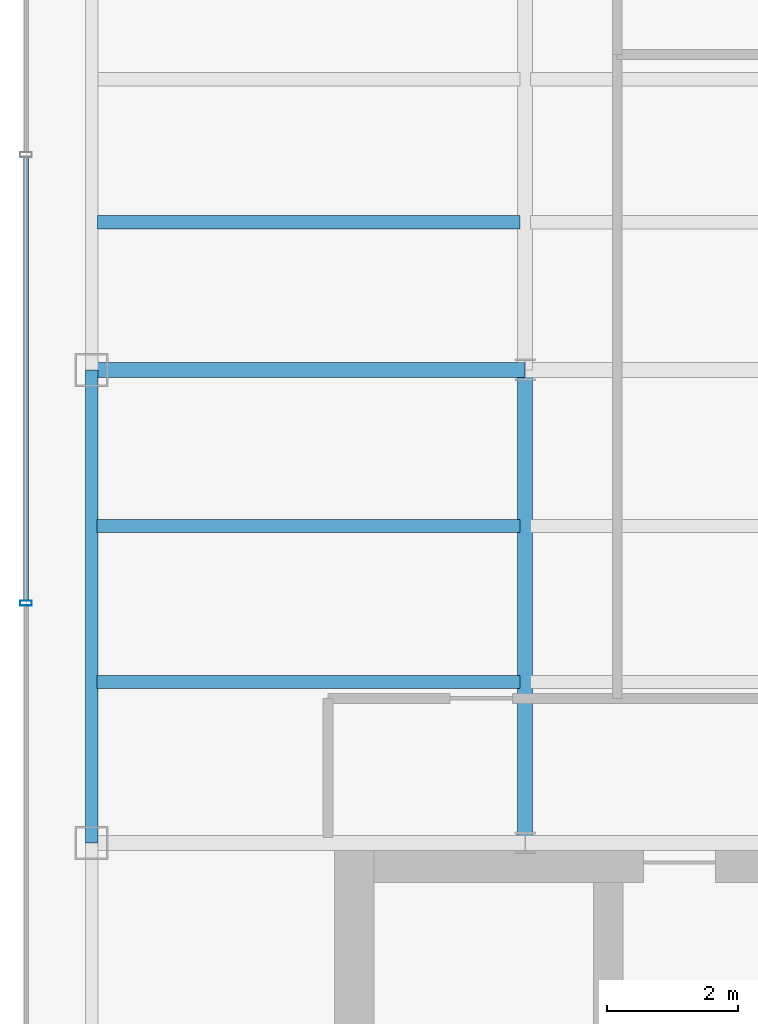
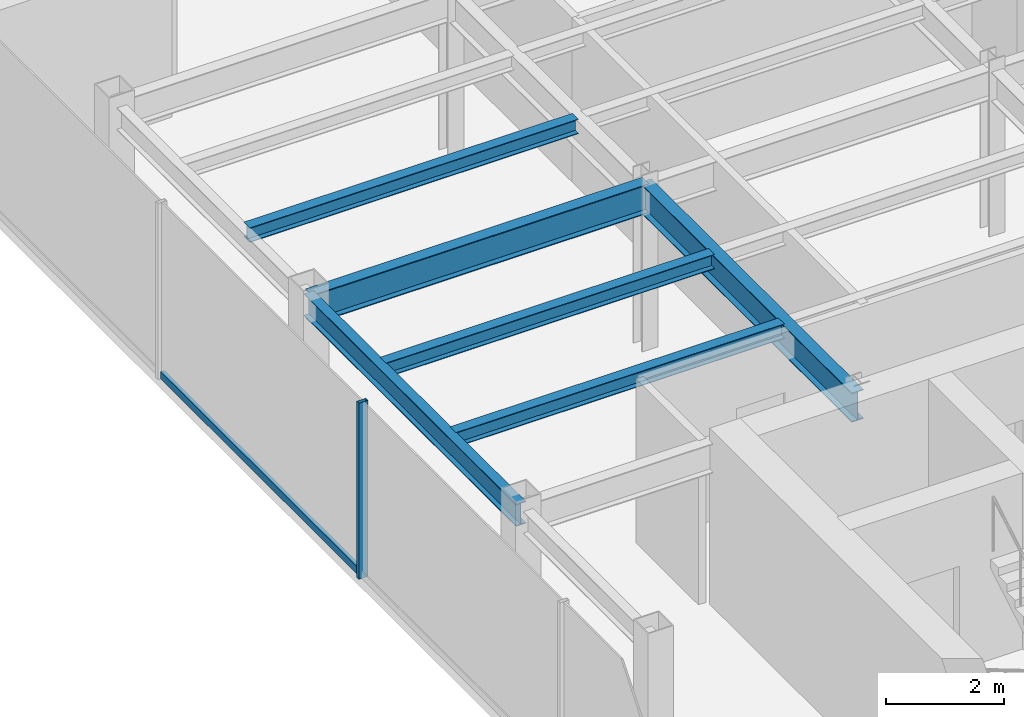
# One storey, part 5 of 22: 6 beams, 2 members, 1 element without a shape of its own.
"""IFC4 building model written with IfcOpenShell, lengths in metres."""

from ifc_helpers import new_model, si_unit, derived_unit, direction, frame, origin, origin_2d, place, context, subcontext, project, spatial, hollow_rectangle, i_section, extrude, source, transform, mapped, material, material_profile, profile_set, type_object, element, aggregate, save


model = new_model("IFC4")

# Units and contexts
model_context = context("Model", 3, precision=1e-05, world=origin(), true_north=direction((0.0, 1.0)))
body_context = subcontext(model_context, "Body", "Model", "MODEL_VIEW")
ifc_project = project(units=[si_unit("LENGTHUNIT", "METRE"), si_unit("AREAUNIT", "SQUARE_METRE"), si_unit("VOLUMEUNIT", "CUBIC_METRE"), si_unit("PLANEANGLEUNIT", "RADIAN"), si_unit("MASSUNIT", "GRAM", prefix="KILO"), derived_unit("THERMALTRANSMITTANCEUNIT", [(si_unit("POWERUNIT", "WATT"), 1), (si_unit("LENGTHUNIT", "METRE"), -2), (si_unit("THERMODYNAMICTEMPERATUREUNIT", "KELVIN"), -1)])], contexts=[model_context])

# Site, building, storey
site_placement = place(None, origin())
site = spatial("IfcSite", under=ifc_project, at=site_placement, CompositionType="ELEMENT")
building_placement = place(site_placement, origin())
building = spatial("IfcBuilding", under=site, at=building_placement, Name="Skarnbrae Concourse Arena and Tower", CompositionType="ELEMENT")
storey_placement = place(building_placement, frame((0.0, 0.0, 258.800048828125)))
storey = spatial("IfcBuildingStorey", under=building, at=storey_placement, Name="L67", CompositionType="ELEMENT", Elevation=258.800048828125)

# Beams
ifc_material_1 = material(Name="Steel CSA G40.21 350W", Category="steel")
ifc_material_profile_1 = material_profile(ifc_material_1, i_section(OverallWidth=0.22802734375, OverallDepth=0.60791015625, WebThickness=0.01123046875, FlangeThickness=0.017333984375, at=origin_2d()), Name="W610X113")
ifc_profile_set_1 = profile_set([ifc_material_profile_1], Name="Steel CSA G40.21 350W")
beam_type_1 = type_object("IfcBeamType", Name="BM-GIRD-W610X113", PredefinedType="BEAM", material=ifc_profile_set_1)
shared_shape_1 = source(origin(), body_context, "Body", "SweptSolid", [
    extrude(i_section(OverallWidth=0.22802734375, OverallDepth=0.60791015625, WebThickness=0.01123046875, FlangeThickness=0.017333984375, at=origin_2d()), origin(), (0.0, 0.0, 1.0), 6.60009765625),
])
beam_1_placement = place(storey_placement, frame((1.0, 21.199951171875, 3.095947265625), z_axis=(1.0, 0.0, 0.0), x_axis=(0.0, 1.0, 0.0)))
element("IfcBeam", 1, at=beam_1_placement, inside=storey, type_object=beam_type_1, Name="L67 Primary E-W girder Y21.2-1", PredefinedType="BEAM", context=body_context, shape_type="MappedRepresentation", body=[
    mapped(shared_shape_1, transform((0.0, 0.0, 0.0))),
])
ifc_material_profile_2 = material_profile(ifc_material_1, i_section(OverallWidth=0.19091796875, OverallDepth=0.4599609375, WebThickness=0.010009765625, FlangeThickness=0.01611328125, at=origin_2d()), Name="W460X82")
ifc_profile_set_2 = profile_set([ifc_material_profile_2], Name="Steel CSA G40.21 350W")
beam_type_2 = type_object("IfcBeamType", Name="BM-SPAN-W460X82", PredefinedType="SPANDREL", material=ifc_profile_set_2)
shared_shape_2 = source(origin(), body_context, "Body", "SweptSolid", [
    extrude(i_section(OverallWidth=0.19091796875, OverallDepth=0.4599609375, WebThickness=0.010009765625, FlangeThickness=0.01611328125, at=origin_2d()), origin(), (0.0, 0.0, 1.0), 7.199951171875),
])
beam_2_placement = place(storey_placement, frame((1.0, 14.0, 3.169921875), z_axis=(0.0, 1.0, 0.0), x_axis=(-1.0, 0.0, 0.0)))
element("IfcBeam", 2, at=beam_2_placement, inside=storey, type_object=beam_type_2, Name="L67 Perimeter spandrel X1.0-2", PredefinedType="SPANDREL", context=body_context, shape_type="MappedRepresentation", body=[
    mapped(shared_shape_2, transform((0.0, 0.0, 0.0))),
])
shared_shape_3 = source(origin(), body_context, "Body", "SweptSolid", [
    extrude(i_section(OverallWidth=0.22802734375, OverallDepth=0.60791015625, WebThickness=0.01123046875, FlangeThickness=0.017333984375, at=origin_2d()), origin(), (0.0, 0.0, 1.0), 7.199951171875),
])
beam_3_placement = place(storey_placement, frame((7.60009765625, 14.0, 3.095947265625), z_axis=(0.0, 1.0, 0.0), x_axis=(-1.0, 0.0, 0.0)))
element("IfcBeam", 3, at=beam_3_placement, inside=storey, type_object=beam_type_1, Name="L67 Primary N-S girder X7.6-1", PredefinedType="BEAM", context=body_context, shape_type="MappedRepresentation", body=[
    mapped(shared_shape_3, transform((0.0, 0.0, 0.0))),
])
ifc_material_profile_3 = material_profile(ifc_material_1, i_section(OverallWidth=0.202880859375, OverallDepth=0.302978515625, WebThickness=0.007568359375, FlangeThickness=0.01318359375, at=origin_2d()), Name="W310X60")
ifc_profile_set_3 = profile_set([ifc_material_profile_3], Name="Steel CSA G40.21 350W")
beam_type_3 = type_object("IfcBeamType", Name="BM-JOIST-W310X60", PredefinedType="JOIST", material=ifc_profile_set_3)
shared_shape_4 = source(origin(), body_context, "Body", "SweptSolid", [
    extrude(i_section(OverallWidth=0.202880859375, OverallDepth=0.302978515625, WebThickness=0.007568359375, FlangeThickness=0.01318359375, at=origin_2d()), origin(), (0.0, 0.0, 1.0), 6.43994140625),
])
for number, where, z_axis, x_axis, name in (
    (4, (1.080078125, 16.447998046875, 3.24853515625), (1.0, 0.0, 0.0), (0.0, 1.0, 0.0), "L67 Secondary floor joist 1.1.1"),
    (5, (1.080078125, 18.823974609375, 3.24853515625), (1.0, 0.0, 0.0), (0.0, 1.0, 0.0), "L67 Secondary floor joist 1.2.1"),
    (6, (1.080078125, 23.444091796875, 3.24853515625), (1.0, 0.0, 0.0), (0.0, 1.0, 0.0), "L67 Secondary floor joist 2.1.1"),
):
    element("IfcBeam", number, at=place(storey_placement, frame(where, z_axis=z_axis, x_axis=x_axis)), inside=storey, type_object=beam_type_3, Name=name, PredefinedType="JOIST", context=body_context, shape_type="MappedRepresentation", body=[
        mapped(shared_shape_4, transform((0.0, 0.0, 0.0))),
    ])

# Curtain wall, members
ifc_material_2 = material(Name="Bronze anodised aluminium 6063-T6", Category="aluminium")
curtain_wall_type = type_object("IfcCurtainWallType", Name="CW-SYS-05-HIGHZONE", PredefinedType="USERDEFINED", material=ifc_material_2)
curtain_wall_placement = place(storey_placement, origin())
curtain_wall = element("IfcCurtainWall", 7, at=curtain_wall_placement, inside=storey, type_object=curtain_wall_type, Name="L67 Unitised curtain wall CW-L67-E18", ObjectType="UNITISED CURTAIN WALL", PredefinedType="USERDEFINED")
ifc_material_profile_4 = material_profile(ifc_material_2, hollow_rectangle(XDim=0.074951171875, YDim=0.179931640625, WallThickness=0.00390625, at=origin_2d()), Name="ALU-MULL-75X180")
ifc_profile_set_4 = profile_set([ifc_material_profile_4], Name="Bronze anodised aluminium 6063-T6")
member_type_1 = type_object("IfcMemberType", Name="CWM-CW-05", PredefinedType="MULLION", material=ifc_profile_set_4)
shared_shape_5 = source(origin(), body_context, "Body", "SweptSolid", [
    extrude(hollow_rectangle(XDim=0.074951171875, YDim=0.179931640625, WallThickness=0.00390625, at=origin_2d()), origin(), (0.0, 0.0, 1.0), 3.64990234375),
])
member_1_placement = place(storey_placement, frame((0.0, 17.64990234375, 0.0), z_axis=(0.0, 0.0, 1.0), x_axis=(0.0, -1.0, 0.0)))
member_1 = element("IfcMember", 8, at=member_1_placement, type_object=member_type_1, Name="CW-L67-E18 Mullion 3", PredefinedType="MULLION", context=body_context, shape_type="MappedRepresentation", body=[
    mapped(shared_shape_5, transform((0.0, 0.0, 0.0))),
])
ifc_material_profile_5 = material_profile(ifc_material_2, hollow_rectangle(XDim=0.074951171875, YDim=0.14990234375, WallThickness=0.00390625, at=origin_2d()), Name="ALU-TRAN-75X150")
ifc_profile_set_5 = profile_set([ifc_material_profile_5], Name="Bronze anodised aluminium 6063-T6")
member_type_2 = type_object("IfcMemberType", Name="CWT-CW-05", PredefinedType="USERDEFINED", material=ifc_profile_set_5)
shared_shape_6 = source(origin(), body_context, "Body", "SweptSolid", [
    extrude(hollow_rectangle(XDim=0.074951171875, YDim=0.14990234375, WallThickness=0.00390625, at=origin_2d()), origin(), (0.0, 0.0, 1.0), 6.75),
])
member_2_placement = place(storey_placement, frame((0.0, 24.4375, 0.074951171875), z_axis=(0.0, -1.0, 0.0), x_axis=(1.0, 0.0, 0.0)))
member_2 = element("IfcMember", 9, at=member_2_placement, type_object=member_type_2, Name="CW-L67-E18 Transom 2", ObjectType="TRANSOM", PredefinedType="USERDEFINED", context=body_context, shape_type="MappedRepresentation", body=[
    mapped(shared_shape_6, transform((0.0, 0.0, 0.0))),
])
aggregate(curtain_wall, [member_1, member_2])

save(model, "model.ifc")
